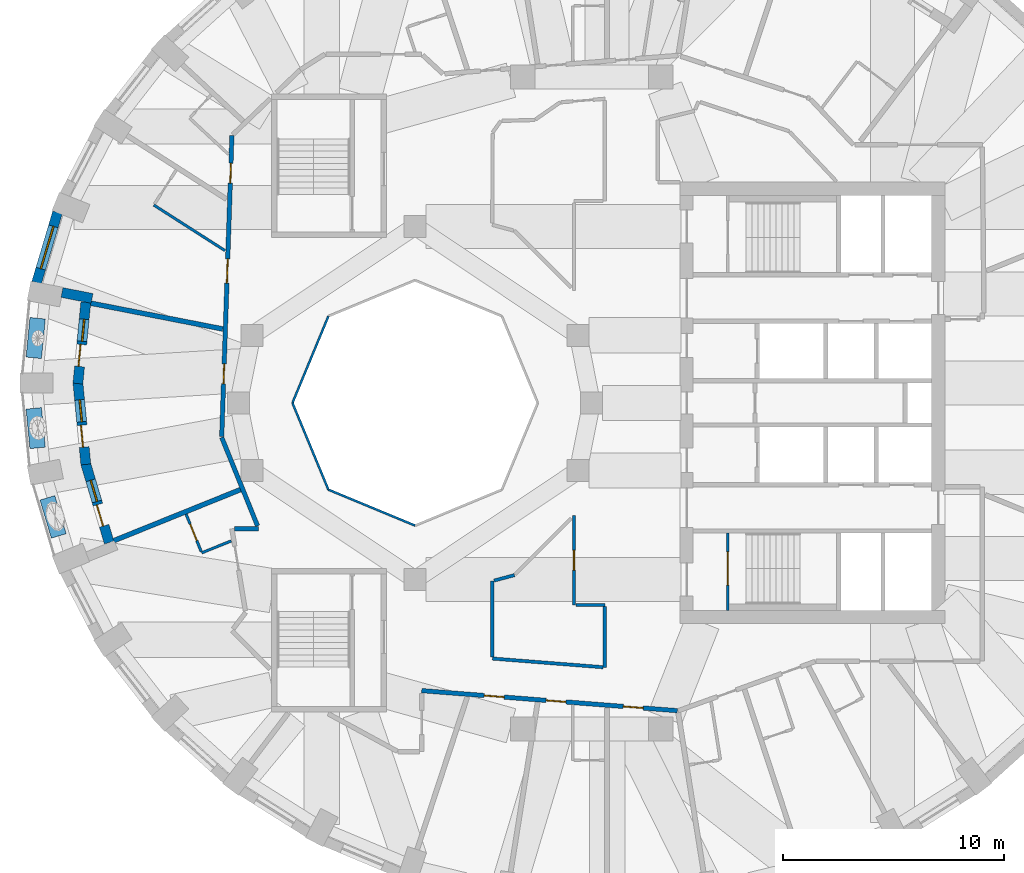
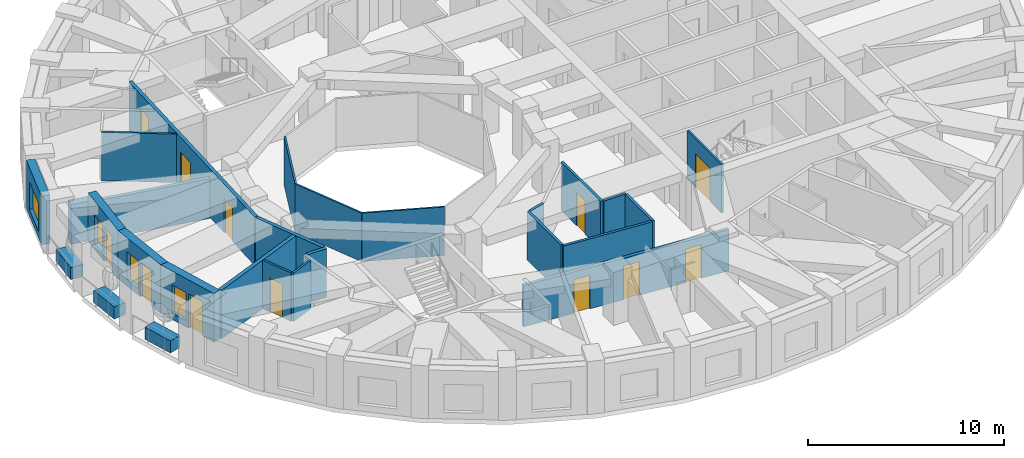
# One storey, part 4 of 12: 27 walls, 12 doors, 4 windows, 16 openings.
"""IFC4 building model written with IfcOpenShell, lengths in metres."""

from ifc_helpers import new_model, si_unit, direction, frame, frame_2d, origin, place, context, subcontext, project, spatial, rectangle, extrude, material, layer, layer_set, constituent, constituent_set, type_object, element, fill, save


model = new_model("IFC4")

# Units and contexts
model_context = context("Model", 3, precision=1e-05, world=origin(), true_north=direction((0.0, 1.0)))
body_context = subcontext(model_context, "Body", "Model", "MODEL_VIEW")
ifc_project = project(units=[si_unit("LENGTHUNIT", "METRE"), si_unit("AREAUNIT", "SQUARE_METRE"), si_unit("VOLUMEUNIT", "CUBIC_METRE"), si_unit("PLANEANGLEUNIT", "RADIAN"), si_unit("MASSUNIT", "GRAM", prefix="KILO")], contexts=[model_context])

# Site, building, storey
site_placement = place(None, origin())
site = spatial("IfcSite", under=ifc_project, at=site_placement, CompositionType="ELEMENT")
building_placement = place(site_placement, origin())
building = spatial("IfcBuilding", under=site, at=building_placement, Name="Taillehof Tower", CompositionType="ELEMENT")
storey_placement = place(building_placement, frame((0.0, 0.0, 195.800048828125)))
storey = spatial("IfcBuildingStorey", under=building, at=storey_placement, Name="L55", CompositionType="ELEMENT", Elevation=195.800048828125)

# Walls
ifc_material_1 = material(Name="Fire-resisting glass in steel frame", Category="steel")
ifc_layer_1 = layer(ifc_material_1, 0.10009765625)
ifc_layer_set_1 = layer_set([ifc_layer_1], Name="Atrium fire-resisting screen EI 60 100")
wall_type_1 = type_object("IfcWallType", Name="Atrium fire-resisting screen EI 60 100", PredefinedType="PARTITIONING", material=ifc_layer_set_1)
for number, where, z_axis, x_axis, name in (
    (1, (-8.0, -5.55419921875, 0.0), (0.0, 0.0, 1.0), (-0.923860025149, 0.382730523909, 0.0), "Atrium screen"),
    (2, (-11.92724609375, -3.92724609375, 0.0), (0.0, 0.0, 1.0), (-0.382730523909, 0.923860025149, 0.0), "Atrium screen"),
    (3, (-13.55419921875, 0.0, 0.0), (0.0, 0.0, 1.0), (0.382730523909, 0.923860025149, 0.0), "Atrium screen"),
):
    element("IfcWall", number, at=place(storey_placement, frame(where, z_axis=z_axis, x_axis=x_axis)), inside=storey, type_object=wall_type_1, Name=name, PredefinedType="PARTITIONING", context=body_context, shape_type="SweptSolid", body=[
        extrude(rectangle(XDim=4.2509765625, YDim=0.10009765625, at=frame_2d((2.12548828125, 0.0))), origin(), (0.0, 0.0, 1.0), 3.02001953125),
    ])

# Wall, opening, window
ifc_material_2 = material(Name="Brick masonry", Category="masonry")
ifc_layer_2 = layer(ifc_material_2, 0.449951171875)
ifc_layer_set_2 = layer_set([ifc_layer_2], Name="Brick infill wall 450")
wall_type_2 = type_object("IfcWallType", Name="Brick infill wall 450", PredefinedType="SOLIDWALL", material=ifc_layer_set_2)
wall_1_placement = place(storey_placement, frame((-24.200439453125, 8.634033203125, 0.0), z_axis=(0.0, 0.0, 1.0), x_axis=(-0.285444972963, -0.958395099847, 0.0)))
wall_1 = element("IfcWall", 4, at=wall_1_placement, inside=storey, type_object=wall_type_2, Name="Brick wall L55 bay 17", PredefinedType="SOLIDWALL", context=body_context, shape_type="SweptSolid", body=[
    extrude(rectangle(XDim=3.3203125, YDim=0.449951171875, at=frame_2d((1.66015625, 0.0))), origin(), (0.0, 0.0, 1.0), 3.02001953125),
])
opening_1_placement = place(wall_1_placement, frame((0.66015625, 0.0, 0.39990234375)))
opening_1 = element("IfcOpeningElement", 5, at=opening_1_placement, cuts=wall_1, Name="Opening W2", PredefinedType="OPENING", context=body_context, shape_type="SweptSolid", body=[
    extrude(rectangle(XDim=2.0, YDim=1.75, at=frame_2d((1.0, 0.875))), frame((0.0, 0.23486328125, 0.0), z_axis=(0.0, -1.0, 0.0), x_axis=(1.0, 0.0, 0.0)), (0.0, 0.0, 1.0), 0.469970703125),
])
ifc_material_3 = material(Name="Aluminium window frame with clear double glazing", Category="aluminium")
window_type_1 = type_object("IfcWindowType", Name="Deep-set window 2000x1750", PartitioningType="SINGLE_PANEL", PredefinedType="WINDOW", material=ifc_material_3)
window_1_placement = place(opening_1_placement, origin())
window_1 = element("IfcWindow", 6, at=window_1_placement, inside=storey, type_object=window_type_1, Name="W2", OverallHeight=1.75, OverallWidth=2.0, PartitioningType="SINGLE_PANEL", PredefinedType="WINDOW", context=body_context, shape_type="SweptSolid", body=[
    extrude(rectangle(XDim=2.0, YDim=1.75, at=frame_2d((1.0, 0.875))), frame((0.0, 0.034912109375, 0.0), z_axis=(0.0, -1.0, 0.0), x_axis=(1.0, 0.0, 0.0)), (0.0, 0.0, 1.0), 0.06005859375),
])
fill(opening_1, window_1)

# Wall
wall_2_placement = place(storey_placement, frame((-24.000244140625, 5.004638671875, 0.0), z_axis=(0.0, 0.0, 1.0), x_axis=(0.981402725872, -0.191960125157, 0.0)))
element("IfcWall", 7, at=wall_2_placement, inside=storey, type_object=wall_type_2, Name="Brick reveal L55 pocket 5", PredefinedType="SOLIDWALL", context=body_context, shape_type="SweptSolid", body=[
    extrude(rectangle(XDim=1.39013671875, YDim=0.449951171875, at=frame_2d((0.695068359375, 0.0))), origin(), (0.0, 0.0, 1.0), 2.469970703125),
])

# Wall, openings, door, window
wall_3_placement = place(storey_placement, frame((-22.918701171875, 4.56396484375, 0.0), z_axis=(0.0, 0.0, 1.0), x_axis=(-0.096520145037, -0.995331031166, 0.0)))
wall_3 = element("IfcWall", 8, at=wall_3_placement, inside=storey, type_object=wall_type_2, Name="Brick wall L55 pocket bay 18", PredefinedType="SOLIDWALL", context=body_context, shape_type="SweptSolid", body=[
    extrude(rectangle(XDim=3.703125, YDim=0.449951171875, at=frame_2d((1.8515625, 0.0))), origin(), (0.0, 0.0, 1.0), 3.02001953125),
])
opening_2_placement = place(wall_3_placement, frame((0.7763671875, 0.0, 0.39990234375)))
opening_2 = element("IfcOpeningElement", 9, at=opening_2_placement, cuts=wall_3, Name="Opening W5", PredefinedType="OPENING", context=body_context, shape_type="SweptSolid", body=[
    extrude(rectangle(XDim=1.0, YDim=1.75, at=frame_2d((0.5, 0.875))), frame((0.0, 0.23486328125, 0.0), z_axis=(0.0, -1.0, 0.0), x_axis=(1.0, 0.0, 0.0)), (0.0, 0.0, 1.0), 0.469970703125),
])
opening_3_placement = place(wall_3_placement, frame((1.926513671875, 0.0, 0.0)))
opening_3 = element("IfcOpeningElement", 10, at=opening_3_placement, cuts=wall_3, Name="Opening D5594", PredefinedType="OPENING", context=body_context, shape_type="SweptSolid", body=[
    extrude(rectangle(XDim=1.0, YDim=2.14990234375, at=frame_2d((0.5, 1.074951171875))), frame((0.0, 0.23486328125, 0.0), z_axis=(0.0, -1.0, 0.0), x_axis=(1.0, 0.0, 0.0)), (0.0, 0.0, 1.0), 0.469970703125),
])
ifc_material_4 = material(Name="Aluminium door frame with clear double glazing", Category="aluminium")
door_type_1 = type_object("IfcDoorType", Name="Balcony door 1000x2150", OperationType="SINGLE_SWING_RIGHT", PredefinedType="DOOR", material=ifc_material_4)
door_1_placement = place(opening_3_placement, frame((1.0, 0.0, 0.0), z_axis=(0.0, 0.0, 1.0), x_axis=(-1.0, 0.0, 0.0)))
door_1 = element("IfcDoor", 11, at=door_1_placement, inside=storey, type_object=door_type_1, Name="Balcony door L55 bay 18", OperationType="SINGLE_SWING_RIGHT", OverallHeight=2.14990234375, OverallWidth=1.0, PredefinedType="DOOR", context=body_context, shape_type="SweptSolid", body=[
    extrude(rectangle(XDim=1.0, YDim=2.14990234375, at=frame_2d((0.5, 1.074951171875))), frame((0.0, 0.0751953125, 0.0), z_axis=(0.0, -1.0, 0.0), x_axis=(1.0, 0.0, 0.0)), (0.0, 0.0, 1.0), 0.050048828125),
])
fill(opening_3, door_1)
ifc_material_5 = material(Name="Aluminium window frame with clear double glazing", Category="aluminium")
window_type_2 = type_object("IfcWindowType", Name="Fixed window 1000x1750", PartitioningType="SINGLE_PANEL", PredefinedType="WINDOW", material=ifc_material_5)
window_2_placement = place(opening_2_placement, origin())
window_2 = element("IfcWindow", 12, at=window_2_placement, inside=storey, type_object=window_type_2, Name="W5", OverallHeight=1.75, OverallWidth=1.0, PartitioningType="SINGLE_PANEL", PredefinedType="WINDOW", context=body_context, shape_type="SweptSolid", body=[
    extrude(rectangle(XDim=1.0, YDim=1.75, at=frame_2d((0.5, 0.875))), frame((0.0, 0.034912109375, 0.0), z_axis=(0.0, -1.0, 0.0), x_axis=(1.0, 0.0, 0.0)), (0.0, 0.0, 1.0), 0.06005859375),
])
fill(opening_2, window_2)

wall_4_placement = place(storey_placement, frame((-23.276123046875, 0.921630859375, 0.0), z_axis=(0.0, 0.0, 1.0), x_axis=(0.096556729592, -0.995327482777, 0.0)))
wall_4 = element("IfcWall", 13, at=wall_4_placement, inside=storey, type_object=wall_type_2, Name="Brick wall L55 pocket bay 19", PredefinedType="SOLIDWALL", context=body_context, shape_type="SweptSolid", body=[
    extrude(rectangle(XDim=3.724365234375, YDim=0.449951171875, at=frame_2d((1.8623046875, 0.0))), origin(), (0.0, 0.0, 1.0), 3.02001953125),
])
opening_4_placement = place(wall_4_placement, frame((0.787353515625, 0.0, 0.39990234375)))
opening_4 = element("IfcOpeningElement", 14, at=opening_4_placement, cuts=wall_4, Name="Opening W5", PredefinedType="OPENING", context=body_context, shape_type="SweptSolid", body=[
    extrude(rectangle(XDim=1.0, YDim=1.75, at=frame_2d((0.5, 0.875))), frame((0.0, 0.23486328125, 0.0), z_axis=(0.0, -1.0, 0.0), x_axis=(1.0, 0.0, 0.0)), (0.0, 0.0, 1.0), 0.469970703125),
])
opening_5_placement = place(wall_4_placement, frame((1.937255859375, 0.0, 0.0)))
opening_5 = element("IfcOpeningElement", 15, at=opening_5_placement, cuts=wall_4, Name="Opening D5595", PredefinedType="OPENING", context=body_context, shape_type="SweptSolid", body=[
    extrude(rectangle(XDim=1.0, YDim=2.14990234375, at=frame_2d((0.5, 1.074951171875))), frame((0.0, 0.23486328125, 0.0), z_axis=(0.0, -1.0, 0.0), x_axis=(1.0, 0.0, 0.0)), (0.0, 0.0, 1.0), 0.469970703125),
])
door_2_placement = place(opening_5_placement, frame((1.0, 0.0, 0.0), z_axis=(0.0, 0.0, 1.0), x_axis=(-1.0, 0.0, 0.0)))
door_2 = element("IfcDoor", 16, at=door_2_placement, inside=storey, type_object=door_type_1, Name="Balcony door L55 bay 19", OperationType="SINGLE_SWING_LEFT", OverallHeight=2.14990234375, OverallWidth=1.0, PredefinedType="DOOR", context=body_context, shape_type="SweptSolid", body=[
    extrude(rectangle(XDim=1.0, YDim=2.14990234375, at=frame_2d((0.5, 1.074951171875))), frame((0.0, 0.0751953125, 0.0), z_axis=(0.0, -1.0, 0.0), x_axis=(1.0, 0.0, 0.0)), (0.0, 0.0, 1.0), 0.050048828125),
])
fill(opening_5, door_2)
window_3_placement = place(opening_4_placement, origin())
window_3 = element("IfcWindow", 17, at=window_3_placement, inside=storey, type_object=window_type_2, Name="W5", OverallHeight=1.75, OverallWidth=1.0, PartitioningType="SINGLE_PANEL", PredefinedType="WINDOW", context=body_context, shape_type="SweptSolid", body=[
    extrude(rectangle(XDim=1.0, YDim=1.75, at=frame_2d((0.5, 0.875))), frame((0.0, 0.034912109375, 0.0), z_axis=(0.0, -1.0, 0.0), x_axis=(1.0, 0.0, 0.0)), (0.0, 0.0, 1.0), 0.06005859375),
])
fill(opening_4, window_3)

wall_5_placement = place(storey_placement, frame((-22.9248046875, -2.7431640625, 0.0), z_axis=(0.0, 0.0, 1.0), x_axis=(0.284722093158, -0.958610103049, 0.0)))
wall_5 = element("IfcWall", 18, at=wall_5_placement, inside=storey, type_object=wall_type_2, Name="Brick wall L55 pocket bay 20", PredefinedType="SOLIDWALL", context=body_context, shape_type="SweptSolid", body=[
    extrude(rectangle(XDim=3.73779296875, YDim=0.449951171875, at=frame_2d((1.868896484375, 0.0))), origin(), (0.0, 0.0, 1.0), 3.02001953125),
])
opening_6_placement = place(wall_5_placement, frame((0.793701171875, 0.0, 0.39990234375)))
opening_6 = element("IfcOpeningElement", 19, at=opening_6_placement, cuts=wall_5, Name="Opening W5", PredefinedType="OPENING", context=body_context, shape_type="SweptSolid", body=[
    extrude(rectangle(XDim=1.0, YDim=1.75, at=frame_2d((0.5, 0.875))), frame((0.0, 0.23486328125, 0.0), z_axis=(0.0, -1.0, 0.0), x_axis=(1.0, 0.0, 0.0)), (0.0, 0.0, 1.0), 0.469970703125),
])
opening_7_placement = place(wall_5_placement, frame((1.94384765625, 0.0, 0.0)))
opening_7 = element("IfcOpeningElement", 20, at=opening_7_placement, cuts=wall_5, Name="Opening D5596", PredefinedType="OPENING", context=body_context, shape_type="SweptSolid", body=[
    extrude(rectangle(XDim=1.0, YDim=2.14990234375, at=frame_2d((0.5, 1.074951171875))), frame((0.0, 0.23486328125, 0.0), z_axis=(0.0, -1.0, 0.0), x_axis=(1.0, 0.0, 0.0)), (0.0, 0.0, 1.0), 0.469970703125),
])
door_3_placement = place(opening_7_placement, frame((1.0, 0.0, 0.0), z_axis=(0.0, 0.0, 1.0), x_axis=(-1.0, 0.0, 0.0)))
door_3 = element("IfcDoor", 21, at=door_3_placement, inside=storey, type_object=door_type_1, Name="Balcony door L55 bay 20", OperationType="SINGLE_SWING_LEFT", OverallHeight=2.14990234375, OverallWidth=1.0, PredefinedType="DOOR", context=body_context, shape_type="SweptSolid", body=[
    extrude(rectangle(XDim=1.0, YDim=2.14990234375, at=frame_2d((0.5, 1.074951171875))), frame((0.0, 0.0751953125, 0.0), z_axis=(0.0, -1.0, 0.0), x_axis=(1.0, 0.0, 0.0)), (0.0, 0.0, 1.0), 0.050048828125),
])
fill(opening_7, door_3)
window_4_placement = place(opening_6_placement, origin())
window_4 = element("IfcWindow", 22, at=window_4_placement, inside=storey, type_object=window_type_2, Name="W5", OverallHeight=1.75, OverallWidth=1.0, PartitioningType="SINGLE_PANEL", PredefinedType="WINDOW", context=body_context, shape_type="SweptSolid", body=[
    extrude(rectangle(XDim=1.0, YDim=1.75, at=frame_2d((0.5, 0.875))), frame((0.0, 0.034912109375, 0.0), z_axis=(0.0, -1.0, 0.0), x_axis=(1.0, 0.0, 0.0)), (0.0, 0.0, 1.0), 0.06005859375),
])
fill(opening_6, window_4)

# Wall, openings, doors
ifc_material_6 = material(Name="Gypsum board on steel studs, two layers each side", Category="steel")
ifc_layer_3 = layer(ifc_material_6, 0.199951171875)
ifc_layer_set_3 = layer_set([ifc_layer_3], Name="Compartment wall corridor 200")
wall_type_3 = type_object("IfcWallType", Name="Compartment wall corridor 200", PredefinedType="PARTITIONING", material=ifc_layer_set_3)
wall_6_placement = place(storey_placement, frame((3.880615234375, -13.94287109375, 0.0), z_axis=(0.0, 0.0, 1.0), x_axis=(-0.996932335491, 0.078268246772, 0.0)))
wall_6 = element("IfcWall", 23, at=wall_6_placement, inside=storey, type_object=wall_type_3, Name="Compartment wall", PredefinedType="PARTITIONING", context=body_context, shape_type="SweptSolid", body=[
    extrude(rectangle(XDim=11.6162109375, YDim=0.199951171875, at=frame_2d((5.80810546875, 0.0))), origin(), (0.0, 0.0, 1.0), 2.570068359375),
])
opening_8_placement = place(wall_6_placement, frame((7.87109375, 0.0, 0.0)))
opening_8 = element("IfcOpeningElement", 24, at=opening_8_placement, cuts=wall_6, Name="Opening D5558", PredefinedType="OPENING", context=body_context, shape_type="SweptSolid", body=[
    extrude(rectangle(XDim=0.89990234375, YDim=2.10009765625, at=frame_2d((0.449951171875, 1.050048828125))), frame((0.0, 0.10986328125, 0.0), z_axis=(0.0, -1.0, 0.0), x_axis=(1.0, 0.0, 0.0)), (0.0, 0.0, 1.0), 0.219970703125),
])
opening_9_placement = place(wall_6_placement, frame((5.06201171875, 0.0, 0.0)))
opening_9 = element("IfcOpeningElement", 25, at=opening_9_placement, cuts=wall_6, Name="Opening D5559", PredefinedType="OPENING", context=body_context, shape_type="SweptSolid", body=[
    extrude(rectangle(XDim=0.89990234375, YDim=2.10009765625, at=frame_2d((0.449951171875, 1.050048828125))), frame((0.0, 0.10986328125, 0.0), z_axis=(0.0, -1.0, 0.0), x_axis=(1.0, 0.0, 0.0)), (0.0, 0.0, 1.0), 0.219970703125),
])
opening_10_placement = place(wall_6_placement, frame((1.554443359375, 0.0, 0.0)))
opening_10 = element("IfcOpeningElement", 26, at=opening_10_placement, cuts=wall_6, Name="Opening D5561", PredefinedType="OPENING", context=body_context, shape_type="SweptSolid", body=[
    extrude(rectangle(XDim=0.89990234375, YDim=2.10009765625, at=frame_2d((0.449951171875, 1.050048828125))), frame((0.0, 0.10986328125, 0.0), z_axis=(0.0, -1.0, 0.0), x_axis=(1.0, 0.0, 0.0)), (0.0, 0.0, 1.0), 0.219970703125),
])
ifc_material_7 = material(Name="Timber door leaf in steel frame", Category="steel")
door_type_2 = type_object("IfcDoorType", Name="Guest room door EI 30 900 x 2100", OperationType="SINGLE_SWING_LEFT", PredefinedType="DOOR", material=ifc_material_7)
door_4_placement = place(opening_9_placement, origin())
door_4 = element("IfcDoor", 27, at=door_4_placement, inside=storey, type_object=door_type_2, Name="D5559", OperationType="SINGLE_SWING_RIGHT", OverallHeight=2.10009765625, OverallWidth=0.89990234375, PredefinedType="DOOR", context=body_context, shape_type="SweptSolid", body=[
    extrude(rectangle(XDim=0.89990234375, YDim=2.10009765625, at=frame_2d((0.449951171875, 1.050048828125))), frame((0.0, 0.02490234375, 0.0), z_axis=(0.0, -1.0, 0.0), x_axis=(1.0, 0.0, 0.0)), (0.0, 0.0, 1.0), 0.050048828125),
])
fill(opening_9, door_4)
ifc_material_8 = material(Name="Timber door leaf in steel frame", Category="steel")
door_type_3 = type_object("IfcDoorType", Name="Service room door EI 30 900 x 2100", OperationType="SINGLE_SWING_LEFT", PredefinedType="DOOR", material=ifc_material_8)
door_5_placement = place(opening_8_placement, origin())
door_5 = element("IfcDoor", 28, at=door_5_placement, inside=storey, type_object=door_type_3, Name="D5558", OperationType="SINGLE_SWING_RIGHT", OverallHeight=2.10009765625, OverallWidth=0.89990234375, PredefinedType="DOOR", context=body_context, shape_type="SweptSolid", body=[
    extrude(rectangle(XDim=0.89990234375, YDim=2.10009765625, at=frame_2d((0.449951171875, 1.050048828125))), frame((0.0, 0.02490234375, 0.0), z_axis=(0.0, -1.0, 0.0), x_axis=(1.0, 0.0, 0.0)), (0.0, 0.0, 1.0), 0.050048828125),
])
fill(opening_8, door_5)
door_6_placement = place(opening_10_placement, origin())
door_6 = element("IfcDoor", 29, at=door_6_placement, inside=storey, type_object=door_type_3, Name="D5561", OperationType="SINGLE_SWING_RIGHT", OverallHeight=2.10009765625, OverallWidth=0.89990234375, PredefinedType="DOOR", context=body_context, shape_type="SweptSolid", body=[
    extrude(rectangle(XDim=0.89990234375, YDim=2.10009765625, at=frame_2d((0.449951171875, 1.050048828125))), frame((0.0, 0.02490234375, 0.0), z_axis=(0.0, -1.0, 0.0), x_axis=(1.0, 0.0, 0.0)), (0.0, 0.0, 1.0), 0.050048828125),
])
fill(opening_10, door_6)

# Walls
wall_7_placement = place(storey_placement, frame((-16.179931640625, -5.699951171875, 0.0), z_axis=(0.0, 0.0, 1.0), x_axis=(1.0, 0.0, 0.0)))
element("IfcWall", 30, at=wall_7_placement, inside=storey, type_object=wall_type_3, Name="Compartment wall", PredefinedType="PARTITIONING", context=body_context, shape_type="SweptSolid", body=[
    extrude(rectangle(XDim=1.095947265625, YDim=0.199951171875, at=frame_2d((0.5478515625, 0.0))), origin(), (0.0, 0.0, 1.0), 3.02001953125),
])
wall_8_placement = place(storey_placement, frame((-15.136962890625, -5.570068359375, 0.0), z_axis=(0.0, 0.0, 1.0), x_axis=(-0.375464059939, 0.926836954213, 0.0)))
element("IfcWall", 31, at=wall_8_placement, inside=storey, type_object=wall_type_3, Name="Compartment wall", PredefinedType="PARTITIONING", context=body_context, shape_type="SweptSolid", body=[
    extrude(rectangle(XDim=4.325927734375, YDim=0.199951171875, at=frame_2d((2.1630859375, 0.0))), origin(), (0.0, 0.0, 1.0), 3.02001953125),
])

# Wall, openings, doors
wall_9_placement = place(storey_placement, frame((-16.759765625, -1.5205078125, 0.0), z_axis=(0.0, 0.0, 1.0), x_axis=(0.033695560079, 0.999432143385, 0.0)))
wall_9 = element("IfcWall", 32, at=wall_9_placement, inside=storey, type_object=wall_type_3, Name="Compartment wall", PredefinedType="PARTITIONING", context=body_context, shape_type="SweptSolid", body=[
    extrude(rectangle(XDim=13.643310546875, YDim=0.199951171875, at=frame_2d((6.82177734375, 0.0))), origin(), (0.0, 0.0, 1.0), 3.02001953125),
])
opening_11_placement = place(wall_9_placement, frame((11.48876953125, 0.0, 0.0)))
opening_11 = element("IfcOpeningElement", 33, at=opening_11_placement, cuts=wall_9, Name="Opening D5550", PredefinedType="OPENING", context=body_context, shape_type="SweptSolid", body=[
    extrude(rectangle(XDim=0.89990234375, YDim=2.10009765625, at=frame_2d((0.449951171875, 1.050048828125))), frame((0.0, 0.10986328125, 0.0), z_axis=(0.0, -1.0, 0.0), x_axis=(1.0, 0.0, 0.0)), (0.0, 0.0, 1.0), 0.219970703125),
])
opening_12_placement = place(wall_9_placement, frame((6.953857421875, 0.0, 0.0)))
opening_12 = element("IfcOpeningElement", 34, at=opening_12_placement, cuts=wall_9, Name="Opening D5552", PredefinedType="OPENING", context=body_context, shape_type="SweptSolid", body=[
    extrude(rectangle(XDim=1.10009765625, YDim=2.10009765625, at=frame_2d((0.550048828125, 1.050048828125))), frame((0.0, 0.10986328125, 0.0), z_axis=(0.0, -1.0, 0.0), x_axis=(1.0, 0.0, 0.0)), (0.0, 0.0, 1.0), 0.219970703125),
])
opening_13_placement = place(wall_9_placement, frame((2.389892578125, 0.0, 0.0)))
opening_13 = element("IfcOpeningElement", 35, at=opening_13_placement, cuts=wall_9, Name="Opening D5554", PredefinedType="OPENING", context=body_context, shape_type="SweptSolid", body=[
    extrude(rectangle(XDim=0.89990234375, YDim=2.10009765625, at=frame_2d((0.449951171875, 1.050048828125))), frame((0.0, 0.10986328125, 0.0), z_axis=(0.0, -1.0, 0.0), x_axis=(1.0, 0.0, 0.0)), (0.0, 0.0, 1.0), 0.219970703125),
])
door_7_placement = place(opening_11_placement, origin())
door_7 = element("IfcDoor", 36, at=door_7_placement, inside=storey, type_object=door_type_2, Name="D5550", OperationType="SINGLE_SWING_RIGHT", OverallHeight=2.10009765625, OverallWidth=0.89990234375, PredefinedType="DOOR", context=body_context, shape_type="SweptSolid", body=[
    extrude(rectangle(XDim=0.89990234375, YDim=2.10009765625, at=frame_2d((0.449951171875, 1.050048828125))), frame((0.0, 0.02490234375, 0.0), z_axis=(0.0, -1.0, 0.0), x_axis=(1.0, 0.0, 0.0)), (0.0, 0.0, 1.0), 0.050048828125),
])
fill(opening_11, door_7)
door_8_placement = place(opening_13_placement, origin())
door_8 = element("IfcDoor", 37, at=door_8_placement, inside=storey, type_object=door_type_3, Name="D5554", OperationType="SINGLE_SWING_RIGHT", OverallHeight=2.10009765625, OverallWidth=0.89990234375, PredefinedType="DOOR", context=body_context, shape_type="SweptSolid", body=[
    extrude(rectangle(XDim=0.89990234375, YDim=2.10009765625, at=frame_2d((0.449951171875, 1.050048828125))), frame((0.0, 0.02490234375, 0.0), z_axis=(0.0, -1.0, 0.0), x_axis=(1.0, 0.0, 0.0)), (0.0, 0.0, 1.0), 0.050048828125),
])
fill(opening_13, door_8)
ifc_material_9 = material(Name="Timber door leaf in steel frame", Category="steel")
door_type_4 = type_object("IfcDoorType", Name="Suite entrance door EI 30 1100 x 2100", OperationType="SINGLE_SWING_LEFT", PredefinedType="DOOR", material=ifc_material_9)
door_9_placement = place(opening_12_placement, origin())
door_9 = element("IfcDoor", 38, at=door_9_placement, inside=storey, type_object=door_type_4, Name="D5552", OperationType="SINGLE_SWING_RIGHT", OverallHeight=2.10009765625, OverallWidth=1.10009765625, PredefinedType="DOOR", context=body_context, shape_type="SweptSolid", body=[
    extrude(rectangle(XDim=1.10009765625, YDim=2.10009765625, at=frame_2d((0.550048828125, 1.050048828125))), frame((0.0, 0.02490234375, 0.0), z_axis=(0.0, -1.0, 0.0), x_axis=(1.0, 0.0, 0.0)), (0.0, 0.0, 1.0), 0.050048828125),
])
fill(opening_12, door_9)

# Walls
ifc_material_10 = material(Name="Gypsum board on double steel studs with mineral wool", Category="steel")
ifc_layer_4 = layer(ifc_material_10, 0.219970703125)
ifc_layer_set_4 = layer_set([ifc_layer_4], Name="Compartment wall guest room 220")
wall_type_4 = type_object("IfcWallType", Name="Compartment wall guest room 220", PredefinedType="PARTITIONING", material=ifc_layer_set_4)
wall_10_placement = place(storey_placement, frame((-22.69677734375, 4.5205078125, 0.0), z_axis=(0.0, 0.0, 1.0), x_axis=(0.981441525081, -0.19176165635, 0.0)))
element("IfcWall", 39, at=wall_10_placement, inside=storey, type_object=wall_type_4, Name="Compartment wall", PredefinedType="PARTITIONING", context=body_context, shape_type="SweptSolid", body=[
    extrude(rectangle(XDim=6.094482421875, YDim=0.219970703125, at=frame_2d((3.04736328125, 0.0))), origin(), (0.0, 0.0, 1.0), 2.469970703125),
])
wall_11_placement = place(storey_placement, frame((-21.65087890625, -6.241455078125, 0.0), z_axis=(0.0, 0.0, 1.0), x_axis=(0.927381885483, 0.374116076208, 0.0)))
element("IfcWall", 40, at=wall_11_placement, inside=storey, type_object=wall_type_4, Name="Compartment wall", PredefinedType="PARTITIONING", context=body_context, shape_type="SweptSolid", body=[
    extrude(rectangle(XDim=6.189697265625, YDim=0.219970703125, at=frame_2d((3.0947265625, 0.0))), origin(), (0.0, 0.0, 1.0), 3.02001953125),
])

# Wall, opening, door
ifc_material_11 = material(Name="Gypsum board on steel studs, two layers each side", Category="steel")
ifc_layer_5 = layer(ifc_material_11, 0.14990234375)
ifc_layer_set_5 = layer_set([ifc_layer_5], Name="Compartment wall service room 150")
wall_type_5 = type_object("IfcWallType", Name="Compartment wall service room 150", PredefinedType="PARTITIONING", material=ifc_layer_set_5)
wall_12_placement = place(storey_placement, frame((-0.800048828125, -5.103759765625, 0.0), z_axis=(0.0, 0.0, 1.0), x_axis=(0.0, -1.0, 0.0)))
wall_12 = element("IfcWall", 41, at=wall_12_placement, inside=storey, type_object=wall_type_5, Name="Compartment wall", PredefinedType="PARTITIONING", context=body_context, shape_type="SweptSolid", body=[
    extrude(rectangle(XDim=4.046142578125, YDim=0.14990234375, at=frame_2d((2.02294921875, 0.0))), origin(), (0.0, 0.0, 1.0), 3.02001953125),
])
opening_14_placement = place(wall_12_placement, frame((1.572998046875, 0.0, 0.0)))
opening_14 = element("IfcOpeningElement", 42, at=opening_14_placement, cuts=wall_12, Name="Opening D5573", PredefinedType="OPENING", context=body_context, shape_type="SweptSolid", body=[
    extrude(rectangle(XDim=0.89990234375, YDim=2.10009765625, at=frame_2d((0.449951171875, 1.050048828125))), frame((0.0, 0.0849609375, 0.0), z_axis=(0.0, -1.0, 0.0), x_axis=(1.0, 0.0, 0.0)), (0.0, 0.0, 1.0), 0.169921875),
])
door_10_placement = place(opening_14_placement, origin())
door_10 = element("IfcDoor", 43, at=door_10_placement, inside=storey, type_object=door_type_3, Name="D5573", OperationType="SINGLE_SWING_RIGHT", OverallHeight=2.10009765625, OverallWidth=0.89990234375, PredefinedType="DOOR", context=body_context, shape_type="SweptSolid", body=[
    extrude(rectangle(XDim=0.89990234375, YDim=2.10009765625, at=frame_2d((0.449951171875, 1.050048828125))), frame((0.0, 0.02490234375, 0.0), z_axis=(0.0, -1.0, 0.0), x_axis=(1.0, 0.0, 0.0)), (0.0, 0.0, 1.0), 0.050048828125),
])
fill(opening_14, door_10)

# Walls
wall_13_placement = place(storey_placement, frame((-0.719970703125, -9.14990234375, 0.0), z_axis=(0.0, 0.0, 1.0), x_axis=(1.0, 0.0, 0.0)))
element("IfcWall", 44, at=wall_13_placement, inside=storey, type_object=wall_type_5, Name="Compartment wall", PredefinedType="PARTITIONING", context=body_context, shape_type="SweptSolid", body=[
    extrude(rectangle(XDim=1.320068359375, YDim=0.14990234375, at=frame_2d((0.66015625, 0.0))), origin(), (0.0, 0.0, 1.0), 3.02001953125),
])
wall_14_placement = place(storey_placement, frame((0.60009765625, -9.22998046875, 0.0), z_axis=(0.0, 0.0, 1.0), x_axis=(0.0, -1.0, 0.0)))
element("IfcWall", 45, at=wall_14_placement, inside=storey, type_object=wall_type_5, Name="Compartment wall", PredefinedType="PARTITIONING", context=body_context, shape_type="SweptSolid", body=[
    extrude(rectangle(XDim=2.75, YDim=0.14990234375, at=frame_2d((1.375, 0.0))), origin(), (0.0, 0.0, 1.0), 3.02001953125),
])
wall_15_placement = place(storey_placement, frame((0.52001953125, -11.97412109375, 0.0), z_axis=(0.0, 0.0, 1.0), x_axis=(-0.996925915355, 0.078349979536, 0.0)))
element("IfcWall", 46, at=wall_15_placement, inside=storey, type_object=wall_type_5, Name="Compartment wall", PredefinedType="PARTITIONING", context=body_context, shape_type="SweptSolid", body=[
    extrude(rectangle(XDim=5.035400390625, YDim=0.14990234375, at=frame_2d((2.517578125, 0.0))), origin(), (0.0, 0.0, 1.0), 3.02001953125),
])
wall_16_placement = place(storey_placement, frame((-4.5, -11.49951171875, 0.0), z_axis=(0.0, 0.0, 1.0), x_axis=(0.0, 1.0, 0.0)))
element("IfcWall", 47, at=wall_16_placement, inside=storey, type_object=wall_type_5, Name="Compartment wall", PredefinedType="PARTITIONING", context=body_context, shape_type="SweptSolid", body=[
    extrude(rectangle(XDim=3.430419921875, YDim=0.14990234375, at=frame_2d((1.71533203125, 0.0))), origin(), (0.0, 0.0, 1.0), 3.02001953125),
])
wall_17_placement = place(storey_placement, frame((-4.4228515625, -8.048583984375, 0.0), z_axis=(0.0, 0.0, 1.0), x_axis=(0.96590031435, 0.25891423819, 0.0)))
element("IfcWall", 48, at=wall_17_placement, inside=storey, type_object=wall_type_5, Name="Compartment wall", PredefinedType="PARTITIONING", context=body_context, shape_type="SweptSolid", body=[
    extrude(rectangle(XDim=0.958984375, YDim=0.14990234375, at=frame_2d((0.4794921875, 0.0))), origin(), (0.0, 0.0, 1.0), 3.02001953125),
])
ifc_material_12 = material(Name="Gypsum board on steel studs, moisture resistant", Category="steel")
ifc_layer_6 = layer(ifc_material_12, 0.1201171875)
ifc_layer_set_6 = layer_set([ifc_layer_6], Name="En-suite wall 120")
wall_type_6 = type_object("IfcWallType", Name="En-suite wall 120", PredefinedType="PARTITIONING", material=ifc_layer_set_6)
wall_18_placement = place(storey_placement, frame((-16.6103515625, 6.902099609375, 0.0), z_axis=(0.0, 0.0, 1.0), x_axis=(-0.842288763401, 0.539026566181, 0.0)))
element("IfcWall", 49, at=wall_18_placement, inside=storey, type_object=wall_type_6, Name="En-suite wall", PredefinedType="PARTITIONING", context=body_context, shape_type="SweptSolid", body=[
    extrude(rectangle(XDim=3.830322265625, YDim=0.1201171875, at=frame_2d((1.9150390625, 0.0))), origin(), (0.0, 0.0, 1.0), 3.02001953125),
])
wall_19_placement = place(storey_placement, frame((-16.33056640625, -6.251953125, 0.0), z_axis=(0.0, 0.0, 1.0), x_axis=(-0.927409233125, -0.374048278053, 0.0)))
element("IfcWall", 50, at=wall_19_placement, inside=storey, type_object=wall_type_6, Name="En-suite wall", PredefinedType="PARTITIONING", context=body_context, shape_type="SweptSolid", body=[
    extrude(rectangle(XDim=1.4404296875, YDim=0.1201171875, at=frame_2d((0.72021484375, 0.0))), origin(), (0.0, 0.0, 1.0), 3.02001953125),
])

# Wall, opening, door
wall_20_placement = place(storey_placement, frame((-17.68896484375, -6.735107421875, 0.0), z_axis=(0.0, 0.0, 1.0), x_axis=(-0.374057168462, 0.927405647342, 0.0)))
wall_20 = element("IfcWall", 51, at=wall_20_placement, inside=storey, type_object=wall_type_6, Name="En-suite wall", PredefinedType="PARTITIONING", context=body_context, shape_type="SweptSolid", body=[
    extrude(rectangle(XDim=1.830078125, YDim=0.1201171875, at=frame_2d((0.9150390625, 0.0))), origin(), (0.0, 0.0, 1.0), 3.02001953125),
])
opening_15_placement = place(wall_20_placement, frame((0.5400390625, 0.0, 0.0)))
opening_15 = element("IfcOpeningElement", 52, at=opening_15_placement, cuts=wall_20, Name="Opening D5556", PredefinedType="OPENING", context=body_context, shape_type="SweptSolid", body=[
    extrude(rectangle(XDim=0.800048828125, YDim=2.10009765625, at=frame_2d((0.39990234375, 1.050048828125))), frame((0.0, 0.070068359375, 0.0), z_axis=(0.0, -1.0, 0.0), x_axis=(1.0, 0.0, 0.0)), (0.0, 0.0, 1.0), 0.14013671875),
])
ifc_material_13 = material(Name="Timber door leaf in steel frame", Category="steel")
door_type_5 = type_object("IfcDoorType", Name="En-suite door 800 x 2100", OperationType="SINGLE_SWING_LEFT", PredefinedType="DOOR", material=ifc_material_13)
door_11_placement = place(opening_15_placement, origin())
door_11 = element("IfcDoor", 53, at=door_11_placement, inside=storey, type_object=door_type_5, Name="D5556", OperationType="SINGLE_SWING_LEFT", OverallHeight=2.10009765625, OverallWidth=0.800048828125, PredefinedType="DOOR", context=body_context, shape_type="SweptSolid", body=[
    extrude(rectangle(XDim=0.800048828125, YDim=2.10009765625, at=frame_2d((0.39990234375, 1.050048828125))), frame((0.0, 0.02490234375, 0.0), z_axis=(0.0, -1.0, 0.0), x_axis=(1.0, 0.0, 0.0)), (0.0, 0.0, 1.0), 0.050048828125),
])
fill(opening_15, door_11)

# Walls
ifc_material_14 = material(Name="Concrete C30/37 precast", Category="concrete")
ifc_constituent_1 = constituent(ifc_material_14, Name="Structure", Category="concrete")
ifc_material_15 = material(Name="Insulated lining")
ifc_constituent_2 = constituent(ifc_material_15, Name="Lining")
ifc_constituent_set = constituent_set(constituents=[ifc_constituent_1, ifc_constituent_2], Name="Planter trough 700x750")
wall_type_7 = type_object("IfcWallType", Name="Planter trough 700x750", PredefinedType="USERDEFINED", material=ifc_constituent_set)
wall_21_placement = place(storey_placement, frame((-25.10205078125, 3.837158203125, 0.0), z_axis=(0.0, 0.0, 1.0), x_axis=(-0.096696932894, -0.995313871685, 0.0)))
element("IfcWall", 54, at=wall_21_placement, inside=storey, type_object=wall_type_7, Name="Planter L55 bay 18", ObjectType="PLANTER", PredefinedType="USERDEFINED", context=body_context, shape_type="SweptSolid", body=[
    extrude(rectangle(XDim=1.80029296875, YDim=0.699951171875, at=frame_2d((0.900146484375, 0.0))), origin(), (0.0, 0.0, 1.0), 0.75),
])
for number, where, z_axis, x_axis, name in (
    (55, (-25.276123046875, -0.24560546875, 0.0), (0.0, 0.0, 1.0), (0.096709987215, -0.995312603343, 0.0), "Planter L55 bay 19"),
    (56, (-24.658203125, -4.298828125, 0.0), (0.0, 0.0, 1.0), (0.285505743157, -0.958376998171, 0.0), "Planter L55 bay 20"),
):
    element("IfcWall", number, at=place(storey_placement, frame(where, z_axis=z_axis, x_axis=x_axis)), inside=storey, type_object=wall_type_7, Name=name, ObjectType="PLANTER", PredefinedType="USERDEFINED", context=body_context, shape_type="SweptSolid", body=[
        extrude(rectangle(XDim=1.800048828125, YDim=0.699951171875, at=frame_2d((0.89990234375, 0.0))), origin(), (0.0, 0.0, 1.0), 0.75),
    ])

# Wall, opening, door
ifc_material_16 = material(Name="Concrete C50/60", Category="concrete")
ifc_layer_7 = layer(ifc_material_16, 0.1201171875)
ifc_layer_set_7 = layer_set([ifc_layer_7], Name="Stair lobby wall C50/60 120")
wall_type_8 = type_object("IfcWallType", Name="Stair lobby wall C50/60 120", PredefinedType="SHEAR", material=ifc_layer_set_7)
wall_22_placement = place(storey_placement, frame((6.159912109375, -9.39990234375, 0.0), z_axis=(0.0, 0.0, 1.0), x_axis=(0.0, 1.0, 0.0)))
wall_22 = element("IfcWall", 57, at=wall_22_placement, inside=storey, type_object=wall_type_8, Name="Compartment wall SW", PredefinedType="SHEAR", context=body_context, shape_type="SweptSolid", body=[
    extrude(rectangle(XDim=3.5, YDim=0.1201171875, at=frame_2d((1.75, 0.0))), origin(), (0.0, 0.0, 1.0), 3.02001953125),
])
opening_16_placement = place(wall_22_placement, frame((1.14990234375, 0.0, 0.0)))
opening_16 = element("IfcOpeningElement", 58, at=opening_16_placement, cuts=wall_22, Name="Opening D5511", PredefinedType="OPENING", context=body_context, shape_type="SweptSolid", body=[
    extrude(rectangle(XDim=1.5, YDim=2.10009765625, at=frame_2d((0.75, 1.050048828125))), frame((0.0, 0.070068359375, 0.0), z_axis=(0.0, -1.0, 0.0), x_axis=(1.0, 0.0, 0.0)), (0.0, 0.0, 1.0), 0.14013671875),
])
ifc_material_17 = material(Name="Steel-faced fire door", Category="steel")
door_type_6 = type_object("IfcDoorType", Name="Stair door 1500x2100", OperationType="DOUBLE_DOOR_SINGLE_SWING", PredefinedType="DOOR", material=ifc_material_17)
door_12_placement = place(opening_16_placement, origin())
door_12 = element("IfcDoor", 59, at=door_12_placement, inside=storey, type_object=door_type_6, Name="Stair lobby door S2", OperationType="DOUBLE_DOOR_SINGLE_SWING", OverallHeight=2.10009765625, OverallWidth=1.5, PredefinedType="DOOR", context=body_context, shape_type="SweptSolid", body=[
    extrude(rectangle(XDim=1.5, YDim=2.10009765625, at=frame_2d((0.75, 1.050048828125))), frame((0.0, 0.02490234375, 0.0), z_axis=(0.0, -1.0, 0.0), x_axis=(1.0, 0.0, 0.0)), (0.0, 0.0, 1.0), 0.050048828125),
])
fill(opening_16, door_12)

save(model, "model.ifc")
